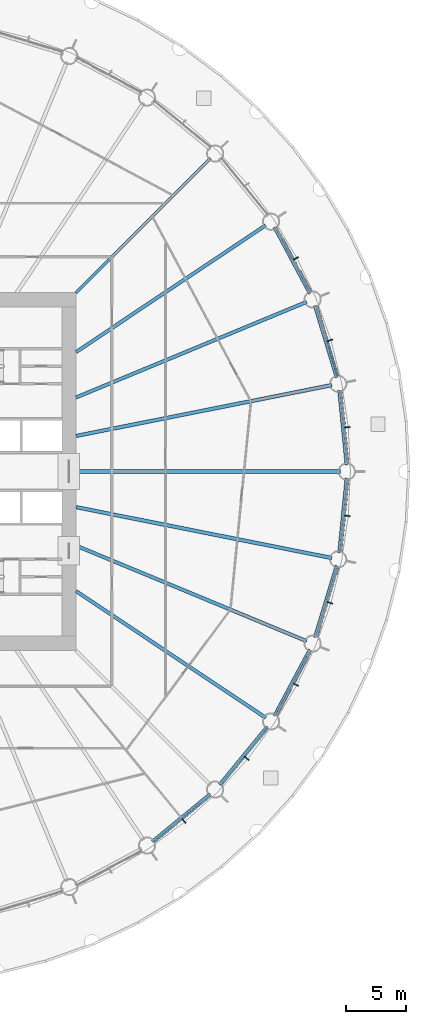
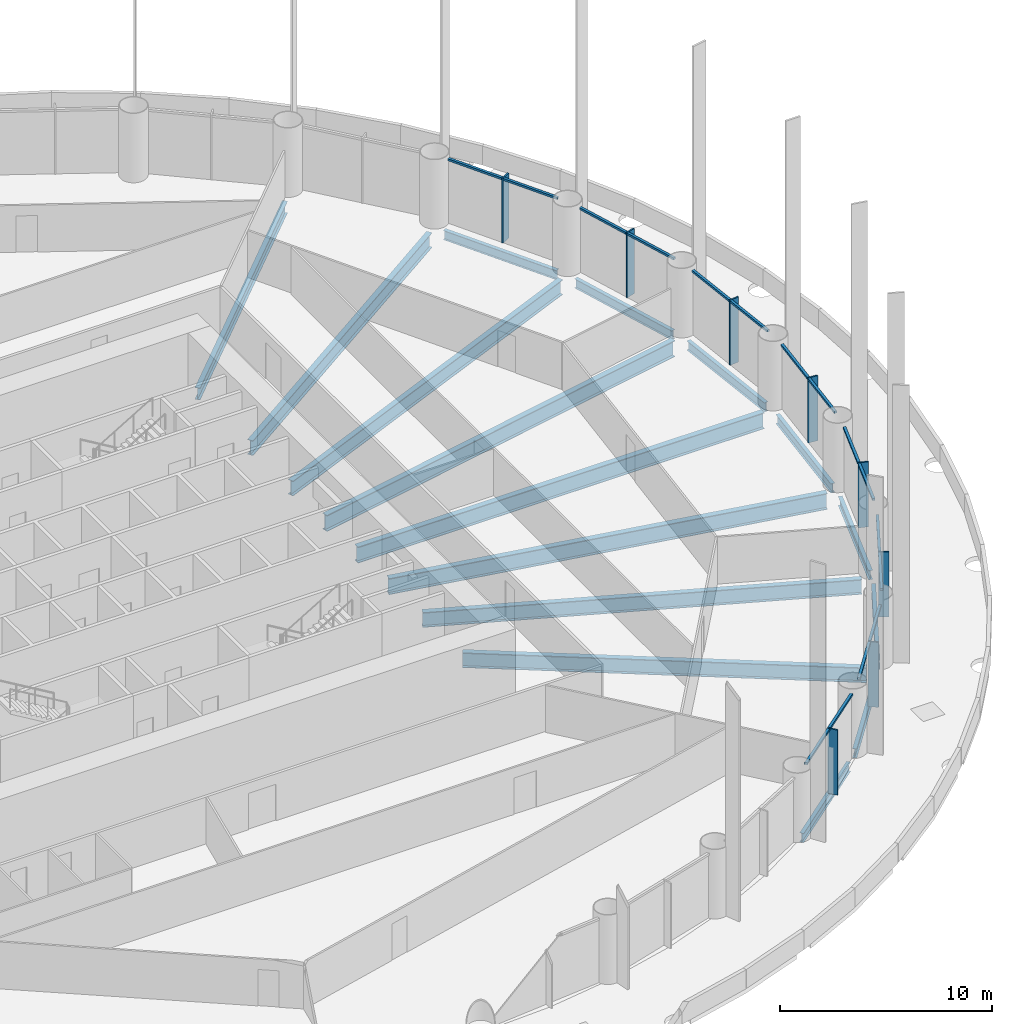
# One storey, part 4 of 17: 24 members, 16 beams, 8 elements without a shape of their own.
"""IFC4 building model written with IfcOpenShell, lengths in metres."""

import ifcopenshell
import ifcopenshell.guid

model = None  # the IFC model being written
_history = None  # IfcOwnerHistory: only IFC2X3 demands one
_inside = {}  # id of a spatial element -> (the spatial element, [elements in it])
_under = {}  # id of a project, library or spatial element -> (it, [spatial elements below it])
_declared = {}  # id of a project -> (the project, [libraries it declares])
_typed = {}  # id of a type object -> (the type object, [elements of that type])
_made_of = {}  # id of a material, layer set ... -> (it, [elements and type objects made of it])


def new_model(schema):
    """Start an empty IFC model of exactly this schema.

    Asked for "IFC4X3", IfcOpenShell would pick the latest addendum, in which some entities
    have other attributes; the version numbers below select the first issue.
    IFC2X3 requires an IfcOwnerHistory on every rooted entity: one is made here for all.
    """
    global model, _history
    if schema == "IFC4X3":
        model = ifcopenshell.file(schema_version=(4, 3, 0, 0))
    else:
        model = ifcopenshell.file(schema=schema)
    _inside.clear()
    _under.clear()
    _declared.clear()
    _typed.clear()
    _made_of.clear()
    _history = None
    if model.schema == "IFC2X3":
        org = make("IfcOrganization", Name="unknown")
        user = make(
            "IfcPersonAndOrganization",
            ThePerson=make("IfcPerson", FamilyName="unknown"),
            TheOrganization=org,
        )
        app = make(
            "IfcApplication",
            ApplicationDeveloper=org,
            Version="unknown",
            ApplicationFullName="unknown",
            ApplicationIdentifier="unknown",
        )
        _history = make(
            "IfcOwnerHistory",
            OwningUser=user,
            OwningApplication=app,
            ChangeAction="ADDED",
            CreationDate=0,
        )
    return model


def make(cls, **values):
    """One entity of the class cls with the attributes given. An attribute that is None is left unset."""
    return model.create_entity(
        cls, **{name: value for name, value in values.items() if value is not None}
    )


def rooted(cls, **values):
    """An entity with a GlobalId (a new one), such as an element, a storey or a relation."""
    return make(cls, GlobalId=ifcopenshell.guid.new(), OwnerHistory=_history, **values)


def si_unit(unit_type, name, prefix=None):
    """IfcSIUnit, for example si_unit("LENGTHUNIT", "METRE", prefix="MILLI")."""
    return make("IfcSIUnit", UnitType=unit_type, Prefix=prefix, Name=name)


def assignment(units):
    """IfcUnitAssignment: the units of a project."""
    return None if units is None else make("IfcUnitAssignment", Units=units)


def point(xyz):
    """IfcCartesianPoint."""
    return None if xyz is None else make("IfcCartesianPoint", Coordinates=xyz)


def direction(xyz):
    """IfcDirection."""
    return None if xyz is None else make("IfcDirection", DirectionRatios=xyz)


def frame(location, z_axis=None, x_axis=None):
    """IfcAxis2Placement3D, a coordinate frame: its origin and axes. An axis left out is left unset."""
    return make(
        "IfcAxis2Placement3D",
        Location=point(location),
        Axis=direction(z_axis),
        RefDirection=direction(x_axis),
    )


def frame_2d(location, x_axis=None):
    """IfcAxis2Placement2D, a coordinate frame in the plane: its origin and x axis."""
    return make(
        "IfcAxis2Placement2D", Location=point(location), RefDirection=direction(x_axis)
    )


def origin():
    """The frame at (0, 0, 0) with its axes left unset."""
    return frame((0.0, 0.0, 0.0))


def origin_2d():
    """The frame at (0, 0) in the plane with its x axis left unset."""
    return frame_2d((0.0, 0.0))


def place(relative_to, where):
    """IfcLocalPlacement: puts the frame where relative to a parent placement (None: the world)."""
    return make(
        "IfcLocalPlacement", PlacementRelTo=relative_to, RelativePlacement=where
    )


def context(
    kind, dimensions, precision=None, world=None, true_north=None, identifier=None
):
    """IfcGeometricRepresentationContext, for example the 3D "Model" context."""
    return make(
        "IfcGeometricRepresentationContext",
        ContextIdentifier=identifier,
        ContextType=kind,
        CoordinateSpaceDimension=dimensions,
        Precision=precision,
        WorldCoordinateSystem=world,
        TrueNorth=true_north,
    )


def subcontext(parent, identifier, kind, view, scale=None):
    """IfcGeometricRepresentationSubContext, for example "Body" below "Model"."""
    return make(
        "IfcGeometricRepresentationSubContext",
        ContextIdentifier=identifier,
        ContextType=kind,
        ParentContext=parent,
        TargetScale=scale,
        TargetView=view,
    )


def project(units=None, contexts=None):
    """IfcProject with its units and contexts."""
    return rooted(
        "IfcProject",
        Name="project",
        RepresentationContexts=contexts,
        UnitsInContext=assignment(units),
    )


def spatial(cls, under=None, at=None, **own):
    """A site, building, storey or space (cls), placed at a placement, below another one or the project."""
    s = rooted(cls, ObjectPlacement=at, **own)
    if under is not None:
        _under.setdefault(under.id(), (under, []))[1].append(s)
    return s


def profile(cls, at=None, kind="AREA", **sizes):
    """A parametric profile (cls). Its sizes go by their IFC names, for example OverallWidth=200.0."""
    return make(cls, ProfileType=kind, Position=at, **sizes)


def rectangle(**sizes):
    """IfcRectangleProfileDef."""
    return profile("IfcRectangleProfileDef", **sizes)


def i_section(**sizes):
    """IfcIShapeProfileDef."""
    return profile("IfcIShapeProfileDef", **sizes)


def extrude(swept, where, along, depth):
    """IfcExtrudedAreaSolid: the profile swept, set in the frame where, extruded along a direction by depth."""
    return make(
        "IfcExtrudedAreaSolid",
        SweptArea=swept,
        Position=where,
        ExtrudedDirection=direction(along),
        Depth=depth,
    )


def shape(context_of_items, identifier, shape_type, items):
    """IfcShapeRepresentation: the items that make up one representation, for example the "Body"."""
    return make(
        "IfcShapeRepresentation",
        ContextOfItems=context_of_items,
        RepresentationIdentifier=identifier,
        RepresentationType=shape_type,
        Items=items,
    )


def material(Name=None, Category=None):
    """IfcMaterial."""
    return make("IfcMaterial", Name=Name, Category=Category)


def material_profile(
    of_material, cross_section, Name=None, Category=None, Priority=None
):
    """IfcMaterialProfile: a cross section and its material."""
    return make(
        "IfcMaterialProfile",
        Name=Name,
        Material=of_material,
        Profile=cross_section,
        Priority=Priority,
        Category=Category,
    )


def profile_set(profiles, Name=None, composite=None):
    """IfcMaterialProfileSet."""
    return make(
        "IfcMaterialProfileSet",
        Name=Name,
        MaterialProfiles=profiles,
        CompositeProfile=composite,
    )


def made_of(thing, what):
    """Note that an element or type object is made of a material, layer set ...; save() writes the relation."""
    if what is not None:
        _made_of.setdefault(what.id(), (what, []))[1].append(thing)
    return thing


def type_object(cls, material=None, **own):
    """A type object (cls), such as IfcWallType, which elements share."""
    return made_of(rooted(cls, **own), material)


def element(
    cls,
    number,
    at=None,
    inside=None,
    cuts=None,
    type_object=None,
    material=None,
    context=None,
    identifier="Body",
    shape_type=None,
    held_by="IfcProductDefinitionShape",
    body=None,
    shapes=None,
    **own,
):
    """One element of the class cls, such as IfcWall. Its Tag is "e" and its number.

    at: its placement. inside: the storey or other place that contains it. cuts: it is an
    opening in that element (IfcRelVoidsElement). A single representation is given by context,
    identifier, shape_type and body (its items); several are given by shapes. held_by: the class
    of the entity that holds the representations. save() writes the other relations.
    """
    e = rooted(cls, Tag="e%d" % number, ObjectPlacement=at, **own)
    if body is not None:
        shapes = [shape(context, identifier, shape_type, body)]
    if shapes is not None:
        e.Representation = make(held_by, Representations=shapes)
    if inside is not None:
        _inside.setdefault(inside.id(), (inside, []))[1].append(e)
    if cuts is not None:
        rooted(
            "IfcRelVoidsElement", RelatingBuildingElement=cuts, RelatedOpeningElement=e
        )
    if type_object is not None:
        _typed.setdefault(type_object.id(), (type_object, []))[1].append(e)
    return made_of(e, material)


def aggregate(whole, parts):
    """IfcRelAggregates: a whole, such as a stair, and the parts it consists of."""
    return rooted("IfcRelAggregates", RelatingObject=whole, RelatedObjects=parts)


def save(model, path):
    """Write the relations noted so far, then the file.

    IfcRelAggregates (storeys below a building ...), IfcRelContainedInSpatialStructure (elements
    in a storey), IfcRelDefinesByType, IfcRelAssociatesMaterial and IfcRelDeclares: one each for
    every whole, place, type object, material and project.
    """
    for whole, parts in _under.values():
        aggregate(whole, parts)
    for where, things in _inside.values():
        rooted(
            "IfcRelContainedInSpatialStructure",
            RelatedElements=things,
            RelatingStructure=where,
        )
    for kind, things in _typed.values():
        rooted("IfcRelDefinesByType", RelatedObjects=things, RelatingType=kind)
    for what, things in _made_of.values():
        rooted("IfcRelAssociatesMaterial", RelatedObjects=things, RelatingMaterial=what)
    for by, libraries in _declared.values():
        rooted("IfcRelDeclares", RelatingContext=by, RelatedDefinitions=libraries)
    model.write(path)


model = new_model("IFC4")

# Units and contexts
model_context = context("Model", 3, precision=1e-05, world=origin(), true_north=direction((0.0, 1.0)))
body_context = subcontext(model_context, "Body", "Model", "MODEL_VIEW")
ifc_project = project(units=[si_unit("LENGTHUNIT", "METRE"), si_unit("AREAUNIT", "SQUARE_METRE"), si_unit("VOLUMEUNIT", "CUBIC_METRE"), si_unit("PLANEANGLEUNIT", "RADIAN"), si_unit("MASSUNIT", "GRAM", prefix="KILO")], contexts=[model_context])

# Site, building, storey
site_placement = place(None, origin())
site = spatial("IfcSite", under=ifc_project, at=site_placement, CompositionType="ELEMENT")
building_placement = place(site_placement, origin())
building = spatial("IfcBuilding", under=site, at=building_placement, Name="Corvane Civic Tower", CompositionType="ELEMENT")
storey_placement = place(building_placement, frame((0.0, 0.0, 37.0)))
storey = spatial("IfcBuildingStorey", under=building, at=storey_placement, Name="L07", CompositionType="ELEMENT", Elevation=37.0)

# Beams
ifc_material_1 = material(Name="Steel ASTM A992 Gr 50", Category="steel")
ifc_material_profile_1 = material_profile(ifc_material_1, i_section(OverallWidth=0.209228515625, OverallDepth=0.533447265625, WebThickness=0.01025390625, FlangeThickness=0.015625, at=origin_2d()), Name="W21X62")
ifc_profile_set_1 = profile_set([ifc_material_profile_1], Name="Steel ASTM A992 Gr 50")
beam_type_1 = type_object("IfcBeamType", Name="EDGE BEAM W21X62", PredefinedType="BEAM", material=ifc_profile_set_1)
for number, where, z_axis, x_axis, name in (
    (1, (31.605712890625, 20.4599609375, -0.566650390625), (0.471405897311, -0.881916367906, 0.0), (0.881916367906, 0.471405897311, 0.0), "BM-L07-E06"),
    (2, (34.989990234375, 13.90087890625, -0.566650390625), (0.290273452184, -0.956943740748, 0.0), (0.956943740748, 0.290273452184, 0.0), "BM-L07-E07"),
):
    element("IfcBeam", number, at=place(storey_placement, frame(where, z_axis=z_axis, x_axis=x_axis)), inside=storey, type_object=beam_type_1, Name=name, PredefinedType="BEAM", context=body_context, shape_type="SweptSolid", body=[
        extrude(i_section(OverallWidth=0.209228515625, OverallDepth=0.533447265625, WebThickness=0.01025390625, FlangeThickness=0.015625, at=origin_2d()), origin(), (0.0, 0.0, 1.0), 6.290283203125),
    ])
for number, where, z_axis, x_axis, name in (
    (3, (37.029541015625, 6.8076171875, -0.566650390625), (0.097997284622, -0.995186682089, 0.0), (0.995186682089, 0.097997284622, 0.0), "BM-L07-E08"),
    (4, (37.64599609375, -0.54736328125, -0.566650390625), (-0.097997284622, -0.995186682089, 0.0), (0.995186682089, -0.097997284622, 0.0), "BM-L07-E09"),
):
    element("IfcBeam", number, at=place(storey_placement, frame(where, z_axis=z_axis, x_axis=x_axis)), inside=storey, type_object=beam_type_1, Name=name, PredefinedType="BEAM", context=body_context, shape_type="SweptSolid", body=[
        extrude(i_section(OverallWidth=0.209228515625, OverallDepth=0.533447265625, WebThickness=0.01025390625, FlangeThickness=0.015625, at=origin_2d()), origin(), (0.0, 0.0, 1.0), 6.29052734375),
    ])
for number, where, z_axis, x_axis, name in (
    (5, (36.81591796875, -7.88134765625, -0.566650390625), (-0.290273452184, -0.956943740748, 0.0), (0.956943740748, -0.290273452184, 0.0), "BM-L07-E10"),
    (6, (34.571044921875, -14.912353515625, -0.566650390625), (-0.471405897311, -0.881916367906, 0.0), (0.881916367906, -0.471405897311, 0.0), "BM-L07-E11"),
):
    element("IfcBeam", number, at=place(storey_placement, frame(where, z_axis=z_axis, x_axis=x_axis)), inside=storey, type_object=beam_type_1, Name=name, PredefinedType="BEAM", context=body_context, shape_type="SweptSolid", body=[
        extrude(i_section(OverallWidth=0.209228515625, OverallDepth=0.533447265625, WebThickness=0.01025390625, FlangeThickness=0.015625, at=origin_2d()), origin(), (0.0, 0.0, 1.0), 6.290283203125),
    ])
for number, where, z_axis, x_axis, name in (
    (7, (30.99755859375, -21.3701171875, -0.566650390625), (-0.634386787141, -0.773015785286, 0.0), (0.773015785286, -0.634386787141, 0.0), "BM-L07-E12"),
    (8, (26.23291015625, -27.0068359375, -0.566650390625), (-0.773015785286, -0.634386787141, 0.0), (0.634386787141, -0.773015785286, 0.0), "BM-L07-E13"),
):
    element("IfcBeam", number, at=place(storey_placement, frame(where, z_axis=z_axis, x_axis=x_axis)), inside=storey, type_object=beam_type_1, Name=name, PredefinedType="BEAM", context=body_context, shape_type="SweptSolid", body=[
        extrude(i_section(OverallWidth=0.209228515625, OverallDepth=0.533447265625, WebThickness=0.01025390625, FlangeThickness=0.015625, at=origin_2d()), origin(), (0.0, 0.0, 1.0), 6.290771484375),
    ])
ifc_material_2 = material(Name="Steel ASTM A992 Gr 50", Category="steel")
ifc_material_profile_2 = material_profile(ifc_material_2, i_section(OverallWidth=0.256591796875, OverallDepth=0.693359375, WebThickness=0.014404296875, FlangeThickness=0.023681640625, at=origin_2d()), Name="W27X114")
ifc_profile_set_2 = profile_set([ifc_material_profile_2], Name="Steel ASTM A992 Gr 50")
beam_type_2 = type_object("IfcBeamType", Name="FLOOR GIRDER W27X114", PredefinedType="BEAM", material=ifc_profile_set_2)
beam_1_placement = place(storey_placement, frame((15.0, 15.0, -0.646728515625), z_axis=(0.707106781187, 0.707106781187, 0.0), x_axis=(-0.707106781187, 0.707106781187, 0.0)))
element("IfcBeam", 9, at=beam_1_placement, inside=storey, type_object=beam_type_2, Name="BM-L07-G05", PredefinedType="BEAM", context=body_context, shape_type="SweptSolid", body=[
    extrude(i_section(OverallWidth=0.256591796875, OverallDepth=0.693359375, WebThickness=0.014404296875, FlangeThickness=0.023681640625, at=origin_2d()), origin(), (0.0, 0.0, 1.0), 15.936767578125),
])
ifc_material_3 = material(Name="Steel ASTM A992 Gr 50", Category="steel")
ifc_material_profile_3 = material_profile(ifc_material_3, i_section(OverallWidth=0.2919921875, OverallDepth=0.8583984375, WebThickness=0.01708984375, FlangeThickness=0.031005859375, at=origin_2d()), Name="W33X169")
ifc_profile_set_3 = profile_set([ifc_material_profile_3], Name="Steel ASTM A992 Gr 50")
beam_type_3 = type_object("IfcBeamType", Name="FLOOR GIRDER W33X169", PredefinedType="BEAM", material=ifc_profile_set_3)
beam_2_placement = place(storey_placement, frame((15.0, 10.022705078125, -0.729248046875), z_axis=(0.831471985418, 0.555566681385, 0.0), x_axis=(-0.555566681385, 0.831471985418, 0.0)))
element("IfcBeam", 10, at=beam_2_placement, inside=storey, type_object=beam_type_3, Name="BM-L07-G06", PredefinedType="BEAM", context=body_context, shape_type="SweptSolid", body=[
    extrude(i_section(OverallWidth=0.2919921875, OverallDepth=0.8583984375, WebThickness=0.01708984375, FlangeThickness=0.031005859375, at=origin_2d()), origin(), (0.0, 0.0, 1.0), 19.109619140625),
])
for number, where, z_axis, x_axis, name in (
    (11, (15.0, 6.213134765625, -0.729248046875), (0.923875834355, 0.382692360381, 0.0), (-0.382692360381, 0.923875834355, 0.0), "BM-L07-G07"),
    (12, (15.0, -6.213134765625, -0.729248046875), (0.923875834355, -0.382692360381, 0.0), (0.382692360381, 0.923875834355, 0.0), "BM-L07-G11"),
):
    element("IfcBeam", number, at=place(storey_placement, frame(where, z_axis=z_axis, x_axis=x_axis)), inside=storey, type_object=beam_type_3, Name=name, PredefinedType="BEAM", context=body_context, shape_type="SweptSolid", body=[
        extrude(i_section(OverallWidth=0.2919921875, OverallDepth=0.8583984375, WebThickness=0.01708984375, FlangeThickness=0.031005859375, at=origin_2d()), origin(), (0.0, 0.0, 1.0), 20.9140625),
    ])
beam_3_placement = place(storey_placement, frame((15.0, -10.022705078125, -0.729248046875), z_axis=(0.831471985418, -0.555566681385, 0.0), x_axis=(0.555566681385, 0.831471985418, 0.0)))
element("IfcBeam", 13, at=beam_3_placement, inside=storey, type_object=beam_type_3, Name="BM-L07-G12", PredefinedType="BEAM", context=body_context, shape_type="SweptSolid", body=[
    extrude(i_section(OverallWidth=0.2919921875, OverallDepth=0.8583984375, WebThickness=0.01708984375, FlangeThickness=0.031005859375, at=origin_2d()), origin(), (0.0, 0.0, 1.0), 19.109619140625),
])
ifc_material_4 = material(Name="Steel ASTM A992 Gr 50", Category="steel")
ifc_material_profile_4 = material_profile(ifc_material_4, i_section(OverallWidth=0.307373046875, OverallDepth=0.927001953125, WebThickness=0.01953125, FlangeThickness=0.031982421875, at=origin_2d()), Name="W36X194")
ifc_profile_set_4 = profile_set([ifc_material_profile_4], Name="Steel ASTM A992 Gr 50")
beam_type_4 = type_object("IfcBeamType", Name="FLOOR GIRDER W36X194", PredefinedType="BEAM", material=ifc_profile_set_4)
beam_4_placement = place(storey_placement, frame((15.0, 2.983642578125, -0.763671875), z_axis=(0.980785499679, 0.195089219638, 0.0), x_axis=(-0.195089219638, 0.980785499679, 0.0)))
element("IfcBeam", 14, at=beam_4_placement, inside=storey, type_object=beam_type_4, Name="BM-L07-G08", PredefinedType="BEAM", context=body_context, shape_type="SweptSolid", body=[
    extrude(i_section(OverallWidth=0.307373046875, OverallDepth=0.927001953125, WebThickness=0.01953125, FlangeThickness=0.031982421875, at=origin_2d()), origin(), (0.0, 0.0, 1.0), 21.856201171875),
])
beam_5_placement = place(storey_placement, frame((15.0, 0.0, -0.763671875), z_axis=(1.0, 0.0, 0.0), x_axis=(0.0, 1.0, 0.0)))
element("IfcBeam", 15, at=beam_5_placement, inside=storey, type_object=beam_type_4, Name="BM-L07-G09", PredefinedType="BEAM", context=body_context, shape_type="SweptSolid", body=[
    extrude(i_section(OverallWidth=0.307373046875, OverallDepth=0.927001953125, WebThickness=0.01953125, FlangeThickness=0.031982421875, at=origin_2d()), origin(), (0.0, 0.0, 1.0), 22.14990234375),
])
beam_6_placement = place(storey_placement, frame((15.0, -2.983642578125, -0.763671875), z_axis=(0.980785499679, -0.195089219638, 0.0), x_axis=(0.195089219638, 0.980785499679, 0.0)))
element("IfcBeam", 16, at=beam_6_placement, inside=storey, type_object=beam_type_4, Name="BM-L07-G10", PredefinedType="BEAM", context=body_context, shape_type="SweptSolid", body=[
    extrude(i_section(OverallWidth=0.307373046875, OverallDepth=0.927001953125, WebThickness=0.01953125, FlangeThickness=0.031982421875, at=origin_2d()), origin(), (0.0, 0.0, 1.0), 21.856201171875),
])

# Curtain wall, members
ifc_material_5 = material(Name="Anodised aluminium bronze", Category="aluminium")
curtain_wall_type = type_object("IfcCurtainWallType", Name="TOWER CW-T1 STICK CURTAIN WALL", PredefinedType="NOTDEFINED", material=ifc_material_5)
curtain_wall_1_placement = place(storey_placement, origin())
curtain_wall_1 = element("IfcCurtainWall", 17, at=curtain_wall_1_placement, inside=storey, type_object=curtain_wall_type, Name="Curtain wall CW-T1 L07 bay 06", PredefinedType="NOTDEFINED")
ifc_material_6 = material(Name="Anodised aluminium bronze", Category="aluminium")
ifc_material_profile_5 = material_profile(ifc_material_6, rectangle(XDim=0.139892578125, YDim=0.1201171875, at=origin_2d()), Name="TOWER CW-T1 TRANSOM 140x120")
ifc_profile_set_5 = profile_set([ifc_material_profile_5], Name="Anodised aluminium bronze")
member_type_1 = type_object("IfcMemberType", Name="TOWER CW-T1 TRANSOM 140x120", PredefinedType="USERDEFINED", material=ifc_profile_set_5)
member_1_placement = place(storey_placement, frame((31.809326171875, 20.459228515625, 3.68994140625), z_axis=(0.471392506424, -0.881923525532, 0.0), x_axis=(0.881923525532, 0.471392506424, 0.0)))
member_1 = element("IfcMember", 18, at=member_1_placement, type_object=member_type_1, Name="Transom CW-T1 L07 06.1", ObjectType="TRANSOM", PredefinedType="USERDEFINED", context=body_context, shape_type="SweptSolid", body=[
    extrude(rectangle(XDim=0.139892578125, YDim=0.1201171875, at=origin_2d()), origin(), (0.0, 0.0, 1.0), 3.008544921875),
])
member_2_placement = place(storey_placement, frame((33.26513671875, 17.7353515625, 3.68994140625), z_axis=(0.471392506424, -0.881923525532, 0.0), x_axis=(0.881923525532, 0.471392506424, 0.0)))
member_2 = element("IfcMember", 19, at=member_2_placement, type_object=member_type_1, Name="Transom CW-T1 L07 06.2", ObjectType="TRANSOM", PredefinedType="USERDEFINED", context=body_context, shape_type="SweptSolid", body=[
    extrude(rectangle(XDim=0.139892578125, YDim=0.1201171875, at=origin_2d()), origin(), (0.0, 0.0, 1.0), 3.008544921875),
])

curtain_wall_2_placement = place(storey_placement, origin())
curtain_wall_2 = element("IfcCurtainWall", 20, at=curtain_wall_2_placement, inside=storey, type_object=curtain_wall_type, Name="Curtain wall CW-T1 L07 bay 07", PredefinedType="NOTDEFINED")
member_3_placement = place(storey_placement, frame((35.189453125, 13.8603515625, 3.68994140625), z_axis=(0.290279914268, -0.956941780555, 0.0), x_axis=(0.956941780555, 0.290279914268, 0.0)))
member_3 = element("IfcMember", 21, at=member_3_placement, type_object=member_type_1, Name="Transom CW-T1 L07 07.1", ObjectType="TRANSOM", PredefinedType="USERDEFINED", context=body_context, shape_type="SweptSolid", body=[
    extrude(rectangle(XDim=0.139892578125, YDim=0.1201171875, at=origin_2d()), origin(), (0.0, 0.0, 1.0), 3.008544921875),
])
member_4_placement = place(storey_placement, frame((36.0859375, 10.90478515625, 3.68994140625), z_axis=(0.290279914268, -0.956941780555, 0.0), x_axis=(0.956941780555, 0.290279914268, 0.0)))
member_4 = element("IfcMember", 22, at=member_4_placement, type_object=member_type_1, Name="Transom CW-T1 L07 07.2", ObjectType="TRANSOM", PredefinedType="USERDEFINED", context=body_context, shape_type="SweptSolid", body=[
    extrude(rectangle(XDim=0.139892578125, YDim=0.1201171875, at=origin_2d()), origin(), (0.0, 0.0, 1.0), 3.008544921875),
])

curtain_wall_3_placement = place(storey_placement, origin())
curtain_wall_3 = element("IfcCurtainWall", 23, at=curtain_wall_3_placement, inside=storey, type_object=curtain_wall_type, Name="Curtain wall CW-T1 L07 bay 08", PredefinedType="NOTDEFINED")
member_5_placement = place(storey_placement, frame((37.21728515625, 6.72900390625, 3.68994140625), z_axis=(0.097944923917, -0.995191836722, 0.0), x_axis=(0.995191836722, 0.097944923917, 0.0)))
member_5 = element("IfcMember", 24, at=member_5_placement, type_object=member_type_1, Name="Transom CW-T1 L07 08.1", ObjectType="TRANSOM", PredefinedType="USERDEFINED", context=body_context, shape_type="SweptSolid", body=[
    extrude(rectangle(XDim=0.139892578125, YDim=0.1201171875, at=origin_2d()), origin(), (0.0, 0.0, 1.0), 3.008544921875),
])
member_6_placement = place(storey_placement, frame((37.52001953125, 3.6552734375, 3.68994140625), z_axis=(0.097944923917, -0.995191836722, 0.0), x_axis=(0.995191836722, 0.097944923917, 0.0)))
member_6 = element("IfcMember", 25, at=member_6_placement, type_object=member_type_1, Name="Transom CW-T1 L07 08.2", ObjectType="TRANSOM", PredefinedType="USERDEFINED", context=body_context, shape_type="SweptSolid", body=[
    extrude(rectangle(XDim=0.139892578125, YDim=0.1201171875, at=origin_2d()), origin(), (0.0, 0.0, 1.0), 3.008544921875),
])

curtain_wall_4_placement = place(storey_placement, origin())
curtain_wall_4 = element("IfcCurtainWall", 26, at=curtain_wall_4_placement, inside=storey, type_object=curtain_wall_type, Name="Curtain wall CW-T1 L07 bay 09", PredefinedType="NOTDEFINED")
member_7_placement = place(storey_placement, frame((37.814697265625, -0.6611328125, 3.68994140625), z_axis=(-0.097944923917, -0.995191836722, 0.0), x_axis=(0.995191836722, -0.097944923917, 0.0)))
member_7 = element("IfcMember", 27, at=member_7_placement, type_object=member_type_1, Name="Transom CW-T1 L07 09.1", ObjectType="TRANSOM", PredefinedType="USERDEFINED", context=body_context, shape_type="SweptSolid", body=[
    extrude(rectangle(XDim=0.139892578125, YDim=0.1201171875, at=origin_2d()), origin(), (0.0, 0.0, 1.0), 3.008544921875),
])
member_8_placement = place(storey_placement, frame((37.511962890625, -3.73486328125, 3.68994140625), z_axis=(-0.097944923917, -0.995191836722, 0.0), x_axis=(0.995191836722, -0.097944923917, 0.0)))
member_8 = element("IfcMember", 28, at=member_8_placement, type_object=member_type_1, Name="Transom CW-T1 L07 09.2", ObjectType="TRANSOM", PredefinedType="USERDEFINED", context=body_context, shape_type="SweptSolid", body=[
    extrude(rectangle(XDim=0.139892578125, YDim=0.1201171875, at=origin_2d()), origin(), (0.0, 0.0, 1.0), 3.008544921875),
])

curtain_wall_5_placement = place(storey_placement, origin())
curtain_wall_5 = element("IfcCurtainWall", 29, at=curtain_wall_5_placement, inside=storey, type_object=curtain_wall_type, Name="Curtain wall CW-T1 L07 bay 10", PredefinedType="NOTDEFINED")
member_9_placement = place(storey_placement, frame((36.959228515625, -8.02587890625, 3.68994140625), z_axis=(-0.290279914268, -0.956941780555, 0.0), x_axis=(0.956941780555, -0.290279914268, 0.0)))
member_9 = element("IfcMember", 30, at=member_9_placement, type_object=member_type_1, Name="Transom CW-T1 L07 10.1", ObjectType="TRANSOM", PredefinedType="USERDEFINED", context=body_context, shape_type="SweptSolid", body=[
    extrude(rectangle(XDim=0.139892578125, YDim=0.1201171875, at=origin_2d()), origin(), (0.0, 0.0, 1.0), 3.008544921875),
])
member_10_placement = place(storey_placement, frame((36.062744140625, -10.9814453125, 3.68994140625), z_axis=(-0.290279914268, -0.956941780555, 0.0), x_axis=(0.956941780555, -0.290279914268, 0.0)))
member_10 = element("IfcMember", 31, at=member_10_placement, type_object=member_type_1, Name="Transom CW-T1 L07 10.2", ObjectType="TRANSOM", PredefinedType="USERDEFINED", context=body_context, shape_type="SweptSolid", body=[
    extrude(rectangle(XDim=0.139892578125, YDim=0.1201171875, at=origin_2d()), origin(), (0.0, 0.0, 1.0), 3.008544921875),
])

curtain_wall_6_placement = place(storey_placement, origin())
curtain_wall_6 = element("IfcCurtainWall", 32, at=curtain_wall_6_placement, inside=storey, type_object=curtain_wall_type, Name="Curtain wall CW-T1 L07 bay 11", PredefinedType="NOTDEFINED")
member_11_placement = place(storey_placement, frame((34.683349609375, -15.08203125, 3.68994140625), z_axis=(-0.471392506424, -0.881923525532, 0.0), x_axis=(0.881923525532, -0.471392506424, 0.0)))
member_11 = element("IfcMember", 33, at=member_11_placement, type_object=member_type_1, Name="Transom CW-T1 L07 11.1", ObjectType="TRANSOM", PredefinedType="USERDEFINED", context=body_context, shape_type="SweptSolid", body=[
    extrude(rectangle(XDim=0.139892578125, YDim=0.1201171875, at=origin_2d()), origin(), (0.0, 0.0, 1.0), 3.008544921875),
])
member_12_placement = place(storey_placement, frame((33.2275390625, -17.805908203125, 3.68994140625), z_axis=(-0.471392506424, -0.881923525532, 0.0), x_axis=(0.881923525532, -0.471392506424, 0.0)))
member_12 = element("IfcMember", 34, at=member_12_placement, type_object=member_type_1, Name="Transom CW-T1 L07 11.2", ObjectType="TRANSOM", PredefinedType="USERDEFINED", context=body_context, shape_type="SweptSolid", body=[
    extrude(rectangle(XDim=0.139892578125, YDim=0.1201171875, at=origin_2d()), origin(), (0.0, 0.0, 1.0), 3.008544921875),
])

curtain_wall_7_placement = place(storey_placement, origin())
curtain_wall_7 = element("IfcCurtainWall", 35, at=curtain_wall_7_placement, inside=storey, type_object=curtain_wall_type, Name="Curtain wall CW-T1 L07 bay 12", PredefinedType="NOTDEFINED")
member_13_placement = place(storey_placement, frame((31.074462890625, -21.55859375, 3.68994140625), z_axis=(-0.634355161466, -0.773041738279, 0.0), x_axis=(0.773041738279, -0.634355161466, 0.0)))
member_13 = element("IfcMember", 36, at=member_13_placement, type_object=member_type_1, Name="Transom CW-T1 L07 12.1", ObjectType="TRANSOM", PredefinedType="USERDEFINED", context=body_context, shape_type="SweptSolid", body=[
    extrude(rectangle(XDim=0.139892578125, YDim=0.1201171875, at=origin_2d()), origin(), (0.0, 0.0, 1.0), 3.008544921875),
])
member_14_placement = place(storey_placement, frame((29.115234375, -23.946044921875, 3.68994140625), z_axis=(-0.634403652865, -0.773001943873, 0.0), x_axis=(0.773001943873, -0.634403652865, 0.0)))
member_14 = element("IfcMember", 37, at=member_14_placement, type_object=member_type_1, Name="Transom CW-T1 L07 12.2", ObjectType="TRANSOM", PredefinedType="USERDEFINED", context=body_context, shape_type="SweptSolid", body=[
    extrude(rectangle(XDim=0.139892578125, YDim=0.1201171875, at=origin_2d()), origin(), (0.0, 0.0, 1.0), 3.008544921875),
])

curtain_wall_8_placement = place(storey_placement, origin())
curtain_wall_8 = element("IfcCurtainWall", 38, at=curtain_wall_8_placement, inside=storey, type_object=curtain_wall_type, Name="Curtain wall CW-T1 L07 bay 13", PredefinedType="NOTDEFINED")
member_15_placement = place(storey_placement, frame((26.271728515625, -27.20654296875, 3.68994140625), z_axis=(-0.773001943873, -0.634403652865, 0.0), x_axis=(0.634403652865, -0.773001943873, 0.0)))
member_15 = element("IfcMember", 39, at=member_15_placement, type_object=member_type_1, Name="Transom CW-T1 L07 13.1", ObjectType="TRANSOM", PredefinedType="USERDEFINED", context=body_context, shape_type="SweptSolid", body=[
    extrude(rectangle(XDim=0.139892578125, YDim=0.1201171875, at=origin_2d()), origin(), (0.0, 0.0, 1.0), 3.008544921875),
])
member_16_placement = place(storey_placement, frame((23.88427734375, -29.166015625, 3.68994140625), z_axis=(-0.773041738279, -0.634355161466, 0.0), x_axis=(0.634355161466, -0.773041738279, 0.0)))
member_16 = element("IfcMember", 40, at=member_16_placement, type_object=member_type_1, Name="Transom CW-T1 L07 13.2", ObjectType="TRANSOM", PredefinedType="USERDEFINED", context=body_context, shape_type="SweptSolid", body=[
    extrude(rectangle(XDim=0.139892578125, YDim=0.1201171875, at=origin_2d()), origin(), (0.0, 0.0, 1.0), 3.008544921875),
])

# Member
ifc_material_7 = material(Name="Anodised aluminium bronze", Category="aluminium")
ifc_material_profile_6 = material_profile(ifc_material_7, rectangle(XDim=0.080078125, YDim=0.5, at=origin_2d()), Name="TOWER FIN MULLION 80x500 BRONZE")
ifc_profile_set_6 = profile_set([ifc_material_profile_6], Name="Anodised aluminium bronze")
member_type_2 = type_object("IfcMemberType", Name="TOWER FIN MULLION 80x500 BRONZE", PredefinedType="MULLION", material=ifc_profile_set_6)
member_17_placement = place(storey_placement, frame((33.422607421875, 17.86474609375, 0.0), z_axis=(0.0, 0.0, 1.0), x_axis=(0.471403725359, -0.881917528864, 0.0)))
member_17 = element("IfcMember", 41, at=member_17_placement, type_object=member_type_2, Name="Fin mullion 06 L07", PredefinedType="MULLION", context=body_context, shape_type="SweptSolid", body=[
    extrude(rectangle(XDim=0.080078125, YDim=0.5, at=origin_2d()), origin(), (0.0, 0.0, 1.0), 3.75),
])

aggregate(curtain_wall_1, [member_17, member_1, member_2])

member_18_placement = place(storey_placement, frame((36.265625, 11.001220703125, 0.0), z_axis=(0.0, 0.0, 1.0), x_axis=(0.290278397654, -0.956942240606, 0.0)))
member_18 = element("IfcMember", 42, at=member_18_placement, type_object=member_type_2, Name="Fin mullion 07 L07", PredefinedType="MULLION", context=body_context, shape_type="SweptSolid", body=[
    extrude(rectangle(XDim=0.080078125, YDim=0.5, at=origin_2d()), origin(), (0.0, 0.0, 1.0), 3.75),
])

aggregate(curtain_wall_2, [member_18, member_3, member_4])

member_19_placement = place(storey_placement, frame((37.715087890625, 3.714599609375, 0.0), z_axis=(0.0, 0.0, 1.0), x_axis=(0.098006239521, -0.995185800248, 0.0)))
member_19 = element("IfcMember", 43, at=member_19_placement, type_object=member_type_2, Name="Fin mullion 08 L07", PredefinedType="MULLION", context=body_context, shape_type="SweptSolid", body=[
    extrude(rectangle(XDim=0.080078125, YDim=0.5, at=origin_2d()), origin(), (0.0, 0.0, 1.0), 3.75),
])

aggregate(curtain_wall_3, [member_19, member_5, member_6])

member_20_placement = place(storey_placement, frame((37.715087890625, -3.714599609375, 0.0), z_axis=(0.0, 0.0, 1.0), x_axis=(-0.098006239521, -0.995185800248, 0.0)))
member_20 = element("IfcMember", 44, at=member_20_placement, type_object=member_type_2, Name="Fin mullion 09 L07", PredefinedType="MULLION", context=body_context, shape_type="SweptSolid", body=[
    extrude(rectangle(XDim=0.080078125, YDim=0.5, at=origin_2d()), origin(), (0.0, 0.0, 1.0), 3.75),
])

aggregate(curtain_wall_4, [member_20, member_7, member_8])

member_21_placement = place(storey_placement, frame((36.265625, -11.001220703125, 0.0), z_axis=(0.0, 0.0, 1.0), x_axis=(-0.290278397654, -0.956942240606, 0.0)))
member_21 = element("IfcMember", 45, at=member_21_placement, type_object=member_type_2, Name="Fin mullion 10 L07", PredefinedType="MULLION", context=body_context, shape_type="SweptSolid", body=[
    extrude(rectangle(XDim=0.080078125, YDim=0.5, at=origin_2d()), origin(), (0.0, 0.0, 1.0), 3.75),
])

aggregate(curtain_wall_5, [member_21, member_9, member_10])

member_22_placement = place(storey_placement, frame((33.422607421875, -17.86474609375, 0.0), z_axis=(0.0, 0.0, 1.0), x_axis=(-0.471403725359, -0.881917528864, 0.0)))
member_22 = element("IfcMember", 46, at=member_22_placement, type_object=member_type_2, Name="Fin mullion 11 L07", PredefinedType="MULLION", context=body_context, shape_type="SweptSolid", body=[
    extrude(rectangle(XDim=0.080078125, YDim=0.5, at=origin_2d()), origin(), (0.0, 0.0, 1.0), 3.75),
])

aggregate(curtain_wall_6, [member_22, member_11, member_12])

member_23_placement = place(storey_placement, frame((29.295166015625, -24.0419921875, 0.0), z_axis=(0.0, 0.0, 1.0), x_axis=(-0.634397218569, -0.773007224463, 0.0)))
member_23 = element("IfcMember", 47, at=member_23_placement, type_object=member_type_2, Name="Fin mullion 12 L07", PredefinedType="MULLION", context=body_context, shape_type="SweptSolid", body=[
    extrude(rectangle(XDim=0.080078125, YDim=0.5, at=origin_2d()), origin(), (0.0, 0.0, 1.0), 3.75),
])

aggregate(curtain_wall_7, [member_23, member_13, member_14])

member_24_placement = place(storey_placement, frame((24.0419921875, -29.295166015625, 0.0), z_axis=(0.0, 0.0, 1.0), x_axis=(-0.773007224463, -0.634397218569, 0.0)))
member_24 = element("IfcMember", 48, at=member_24_placement, type_object=member_type_2, Name="Fin mullion 13 L07", PredefinedType="MULLION", context=body_context, shape_type="SweptSolid", body=[
    extrude(rectangle(XDim=0.080078125, YDim=0.5, at=origin_2d()), origin(), (0.0, 0.0, 1.0), 3.75),
])

aggregate(curtain_wall_8, [member_24, member_15, member_16])

save(model, "model.ifc")
